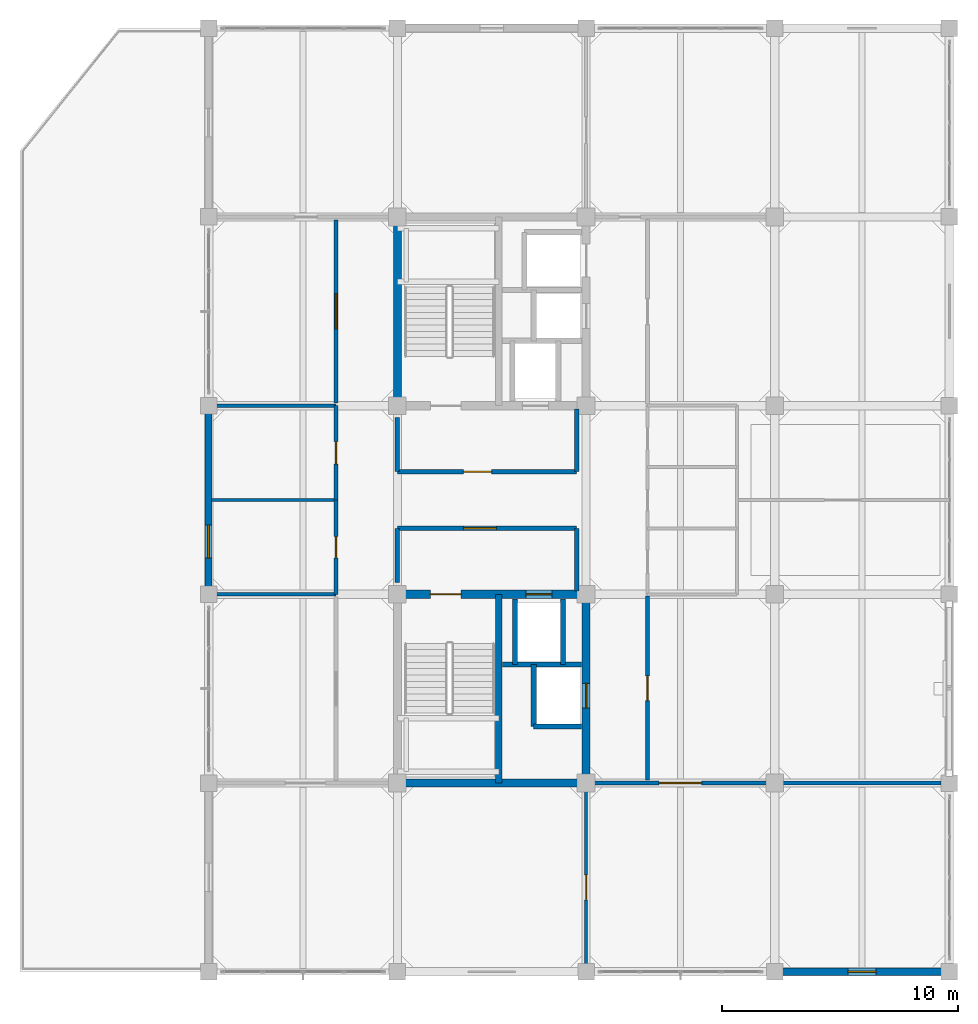
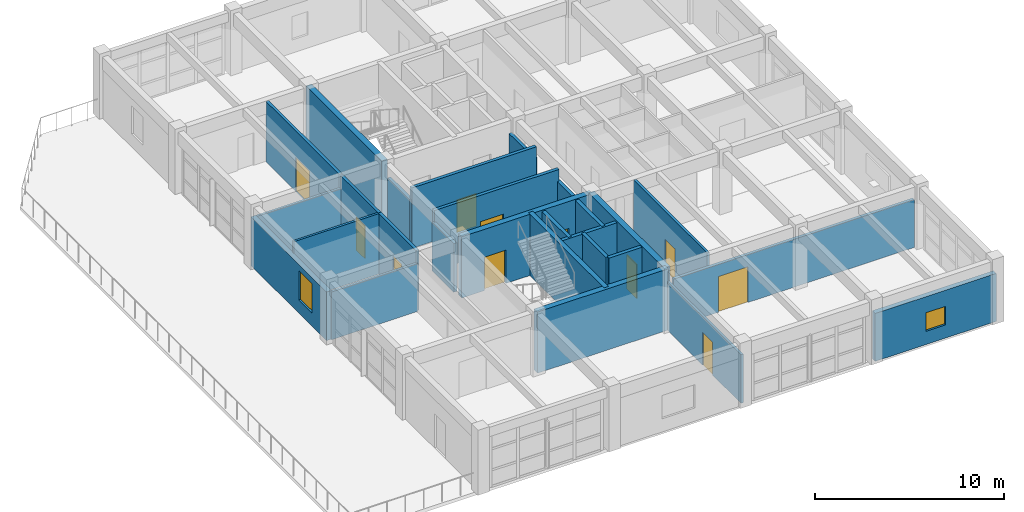
# One storey, part 19 of 25: 27 walls, 11 doors, 2 windows, 13 openings.
"""IFC4 building model written with IfcOpenShell, lengths in metres."""

from ifc_helpers import new_model, si_unit, direction, frame, frame_2d, origin, place, context, subcontext, project, spatial, rectangle, extrude, material, layer, layer_set, type_object, element, fill, save


model = new_model("IFC4")

# Units and contexts
model_context = context("Model", 3, precision=1e-05, world=origin(), true_north=direction((0.0, 1.0)))
body_context = subcontext(model_context, "Body", "Model", "MODEL_VIEW")
ifc_project = project(units=[si_unit("LENGTHUNIT", "METRE"), si_unit("AREAUNIT", "SQUARE_METRE"), si_unit("VOLUMEUNIT", "CUBIC_METRE"), si_unit("PLANEANGLEUNIT", "RADIAN"), si_unit("MASSUNIT", "GRAM", prefix="KILO")], contexts=[model_context])

# Site, building, storey
site_placement = place(None, origin())
site = spatial("IfcSite", under=ifc_project, at=site_placement, CompositionType="ELEMENT")
building_placement = place(site_placement, origin())
building = spatial("IfcBuilding", under=site, at=building_placement, Name="Canggui Botanical Conservatory", CompositionType="ELEMENT")
storey_placement = place(building_placement, frame((0.0, 0.0, 40.199951171875)))
storey = spatial("IfcBuildingStorey", under=building, at=storey_placement, Name="L10", CompositionType="ELEMENT", Elevation=40.199951171875)

# Wall, opening, window
ifc_material_1 = material(Name="Precast Concrete C40", Category="concrete")
ifc_layer_1 = layer(ifc_material_1, 0.300048828125, Name="Precast Concrete C40", Category="concrete")
ifc_layer_set_1 = layer_set([ifc_layer_1], Name="Precast Concrete C40")
wall_type_1 = type_object("IfcWallType", Name="EW-300", PredefinedType="STANDARD", material=ifc_layer_set_1)
wall_1_placement = place(storey_placement, frame((177.39990234375, 34.0, 0.0), z_axis=(0.0, 0.0, 1.0), x_axis=(-1.0, 0.0, 0.0)))
wall_1 = element("IfcWall", 1, at=wall_1_placement, inside=storey, type_object=wall_type_1, Name="Tower Insulated Exterior Wall L10-S1", PredefinedType="STANDARD", context=body_context, shape_type="SweptSolid", body=[
    extrude(rectangle(XDim=7.39990234375, YDim=0.300048828125, at=frame_2d((3.699951171875, 0.0))), origin(), (0.0, 0.0, 1.0), 3.090087890625),
])
opening_1_placement = place(wall_1_placement, frame((3.10009765625, 0.0, 0.85009765625)))
opening_1 = element("IfcOpeningElement", 2, at=opening_1_placement, cuts=wall_1, Name="Opening W-06", PredefinedType="OPENING", context=body_context, shape_type="SweptSolid", body=[
    extrude(rectangle(XDim=1.199951171875, YDim=1.199951171875, at=frame_2d((0.60009765625, 0.60009765625))), frame((0.0, 0.16015625, 0.0), z_axis=(0.0, -1.0, 0.0), x_axis=(1.0, 0.0, 0.0)), (0.0, 0.0, 1.0), 0.320068359375),
])
ifc_material_2 = material(Name="Low-E Insulated Glass", Category="glass")
window_type_1 = type_object("IfcWindowType", Name="WIN-06", PartitioningType="SINGLE_PANEL", PredefinedType="WINDOW", material=ifc_material_2)
window_1_placement = place(opening_1_placement, origin())
window_1 = element("IfcWindow", 3, at=window_1_placement, inside=storey, type_object=window_type_1, Name="Tower Firefighter Rescue Window L10-1", OverallHeight=1.199951171875, OverallWidth=1.199951171875, PartitioningType="SINGLE_PANEL", PredefinedType="WINDOW", context=body_context, shape_type="SweptSolid", body=[
    extrude(rectangle(XDim=1.199951171875, YDim=1.199951171875, at=frame_2d((0.60009765625, 0.60009765625))), frame((0.0, 0.030029296875, 0.0), z_axis=(0.0, -1.0, 0.0), x_axis=(1.0, 0.0, 0.0)), (0.0, 0.0, 1.0), 0.06005859375),
])
fill(opening_1, window_1)

wall_2_placement = place(storey_placement, frame((146.0, 50.0, 0.0), z_axis=(0.0, 0.0, 1.0), x_axis=(0.0, 1.0, 0.0)))
wall_2 = element("IfcWall", 4, at=wall_2_placement, inside=storey, type_object=wall_type_1, Name="Tower Insulated Exterior Wall L10-W7", PredefinedType="STANDARD", context=body_context, shape_type="SweptSolid", body=[
    extrude(rectangle(XDim=8.0, YDim=0.300048828125, at=frame_2d((4.0, 0.0))), origin(), (0.0, 0.0, 1.0), 3.14013671875),
])
opening_2_placement = place(wall_2_placement, frame((1.532958984375, 0.0, 0.85009765625)))
opening_2 = element("IfcOpeningElement", 5, at=opening_2_placement, cuts=wall_2, Name="Opening W-14", PredefinedType="OPENING", context=body_context, shape_type="SweptSolid", body=[
    extrude(rectangle(XDim=1.39990234375, YDim=1.89990234375, at=frame_2d((0.699951171875, 0.949951171875))), frame((0.0, 0.16015625, 0.0), z_axis=(0.0, -1.0, 0.0), x_axis=(1.0, 0.0, 0.0)), (0.0, 0.0, 1.0), 0.320068359375),
])
window_type_2 = type_object("IfcWindowType", Name="WIN-14", PartitioningType="SINGLE_PANEL", PredefinedType="WINDOW", material=ifc_material_2)
window_2_placement = place(opening_2_placement, origin())
window_2 = element("IfcWindow", 6, at=window_2_placement, inside=storey, type_object=window_type_2, Name="Tower Window L10-7", OverallHeight=1.89990234375, OverallWidth=1.39990234375, PartitioningType="SINGLE_PANEL", PredefinedType="WINDOW", context=body_context, shape_type="SweptSolid", body=[
    extrude(rectangle(XDim=1.39990234375, YDim=1.89990234375, at=frame_2d((0.699951171875, 0.949951171875))), frame((0.0, 0.030029296875, 0.0), z_axis=(0.0, -1.0, 0.0), x_axis=(1.0, 0.0, 0.0)), (0.0, 0.0, 1.0), 0.06005859375),
])
fill(opening_2, window_2)

# Wall, opening, door
ifc_material_3 = material(Name="Gypsum Plasterboard Partition")
ifc_layer_2 = layer(ifc_material_3, 0.175048828125, Name="Gypsum Plasterboard Partition")
ifc_layer_set_2 = layer_set([ifc_layer_2], Name="Gypsum Plasterboard Partition")
wall_type_2 = type_object("IfcWallType", Name="IW-CORR-175", PredefinedType="STANDARD", material=ifc_layer_set_2)
wall_3_placement = place(storey_placement, frame((151.39990234375, 58.1201171875, 0.0), z_axis=(0.0, 0.0, 1.0), x_axis=(0.0, 1.0, 0.0)))
wall_3 = element("IfcWall", 7, at=wall_3_placement, inside=storey, type_object=wall_type_2, Name="L10 Seed Conditioning Prep Room Corridor Wall", PredefinedType="STANDARD", context=body_context, shape_type="SweptSolid", body=[
    extrude(rectangle(XDim=7.759765625, YDim=0.175048828125, at=frame_2d((3.8798828125, 0.0))), origin(), (0.0, 0.0, 1.0), 3.900146484375),
])
opening_3_placement = place(wall_3_placement, frame((3.1298828125, 0.0, 0.0)))
opening_3 = element("IfcOpeningElement", 8, at=opening_3_placement, cuts=wall_3, Name="Opening FD-13", PredefinedType="OPENING", context=body_context, shape_type="SweptSolid", body=[
    extrude(rectangle(XDim=1.5, YDim=2.199951171875, at=frame_2d((0.75, 1.10009765625))), frame((0.0, 0.09765625, 0.0), z_axis=(0.0, -1.0, 0.0), x_axis=(1.0, 0.0, 0.0)), (0.0, 0.0, 1.0), 0.195068359375),
])
ifc_material_4 = material(Name="Powder-Coated Steel", Category="steel")
door_type_1 = type_object("IfcDoorType", Name="FD-13", OperationType="NOTDEFINED", PredefinedType="DOOR", material=ifc_material_4)
door_1_placement = place(opening_3_placement, origin())
door_1 = element("IfcDoor", 9, at=door_1_placement, inside=storey, type_object=door_type_1, Name="L10 Seed Conditioning Prep Room Entrance Door", OperationType="SINGLE_SWING_RIGHT", OverallHeight=2.199951171875, OverallWidth=1.5, PredefinedType="DOOR", context=body_context, shape_type="SweptSolid", body=[
    extrude(rectangle(XDim=1.5, YDim=2.199951171875, at=frame_2d((0.75, 1.10009765625))), frame((0.0, 0.02490234375, 0.0), z_axis=(0.0, -1.0, 0.0), x_axis=(1.0, 0.0, 0.0)), (0.0, 0.0, 1.0), 0.050048828125),
])
fill(opening_3, door_1)

wall_4_placement = place(storey_placement, frame((151.39990234375, 50.0, 0.0), z_axis=(0.0, 0.0, 1.0), x_axis=(0.0, 1.0, 0.0)))
wall_4 = element("IfcWall", 10, at=wall_4_placement, inside=storey, type_object=wall_type_2, Name="L10 Cleaners' Store Wall", PredefinedType="STANDARD", context=body_context, shape_type="SweptSolid", body=[
    extrude(rectangle(XDim=4.0, YDim=0.175048828125, at=frame_2d((2.0, 0.0))), origin(), (0.0, 0.0, 1.0), 3.900146484375),
])
opening_4_placement = place(wall_4_placement, frame((1.550048828125, 0.0, 0.0)))
opening_4 = element("IfcOpeningElement", 11, at=opening_4_placement, cuts=wall_4, Name="Opening FD-01", PredefinedType="OPENING", context=body_context, shape_type="SweptSolid", body=[
    extrude(rectangle(XDim=0.89990234375, YDim=2.10009765625, at=frame_2d((0.449951171875, 1.050048828125))), frame((0.0, 0.09765625, 0.0), z_axis=(0.0, -1.0, 0.0), x_axis=(1.0, 0.0, 0.0)), (0.0, 0.0, 1.0), 0.195068359375),
])
door_type_2 = type_object("IfcDoorType", Name="FD-01", OperationType="NOTDEFINED", PredefinedType="DOOR", material=ifc_material_4)
door_2_placement = place(opening_4_placement, origin())
door_2 = element("IfcDoor", 12, at=door_2_placement, inside=storey, type_object=door_type_2, Name="Interior Door IW-L10-STRW1", OperationType="SINGLE_SWING_LEFT", OverallHeight=2.10009765625, OverallWidth=0.89990234375, PredefinedType="DOOR", context=body_context, shape_type="SweptSolid", body=[
    extrude(rectangle(XDim=0.89990234375, YDim=2.10009765625, at=frame_2d((0.449951171875, 1.050048828125))), frame((0.0, 0.02490234375, 0.0), z_axis=(0.0, -1.0, 0.0), x_axis=(1.0, 0.0, 0.0)), (0.0, 0.0, 1.0), 0.050048828125),
])
fill(opening_4, door_2)

wall_5_placement = place(storey_placement, frame((151.39990234375, 54.0, 0.0), z_axis=(0.0, 0.0, 1.0), x_axis=(0.0, 1.0, 0.0)))
wall_5 = element("IfcWall", 13, at=wall_5_placement, inside=storey, type_object=wall_type_2, Name="L10 Consumables Store Wall", PredefinedType="STANDARD", context=body_context, shape_type="SweptSolid", body=[
    extrude(rectangle(XDim=4.0, YDim=0.175048828125, at=frame_2d((2.0, 0.0))), origin(), (0.0, 0.0, 1.0), 3.900146484375),
])
opening_5_placement = place(wall_5_placement, frame((1.52490234375, 0.0, 0.0)))
opening_5 = element("IfcOpeningElement", 14, at=opening_5_placement, cuts=wall_5, Name="Opening FD-02", PredefinedType="OPENING", context=body_context, shape_type="SweptSolid", body=[
    extrude(rectangle(XDim=0.949951171875, YDim=2.10009765625, at=frame_2d((0.47509765625, 1.050048828125))), frame((0.0, 0.09765625, 0.0), z_axis=(0.0, -1.0, 0.0), x_axis=(1.0, 0.0, 0.0)), (0.0, 0.0, 1.0), 0.195068359375),
])
door_type_3 = type_object("IfcDoorType", Name="FD-02", OperationType="NOTDEFINED", PredefinedType="DOOR", material=ifc_material_4)
door_3_placement = place(opening_5_placement, origin())
door_3 = element("IfcDoor", 15, at=door_3_placement, inside=storey, type_object=door_type_3, Name="Interior Door IW-L10-STRW2", OperationType="SINGLE_SWING_RIGHT", OverallHeight=2.10009765625, OverallWidth=0.949951171875, PredefinedType="DOOR", context=body_context, shape_type="SweptSolid", body=[
    extrude(rectangle(XDim=0.949951171875, YDim=2.10009765625, at=frame_2d((0.47509765625, 1.050048828125))), frame((0.0, 0.02490234375, 0.0), z_axis=(0.0, -1.0, 0.0), x_axis=(1.0, 0.0, 0.0)), (0.0, 0.0, 1.0), 0.050048828125),
])
fill(opening_5, door_3)

wall_6_placement = place(storey_placement, frame((162.35009765625, 42.0, 0.0), z_axis=(0.0, 0.0, 1.0), x_axis=(1.0, 0.0, 0.0)))
wall_6 = element("IfcWall", 16, at=wall_6_placement, inside=storey, type_object=wall_type_2, Name="L10 Seed Dormancy Germination Suite South Suite Wall", PredefinedType="STANDARD", context=body_context, shape_type="SweptSolid", body=[
    extrude(rectangle(XDim=14.699951171875, YDim=0.175048828125, at=frame_2d((7.35009765625, 0.0))), origin(), (0.0, 0.0, 1.0), 3.090087890625),
])
opening_6_placement = place(wall_6_placement, frame((2.75, 0.0, 0.0)))
opening_6 = element("IfcOpeningElement", 17, at=opening_6_placement, cuts=wall_6, Name="Opening FD-17", PredefinedType="OPENING", context=body_context, shape_type="SweptSolid", body=[
    extrude(rectangle(XDim=1.800048828125, YDim=2.300048828125, at=frame_2d((0.89990234375, 1.14990234375))), frame((0.0, 0.09765625, 0.0), z_axis=(0.0, -1.0, 0.0), x_axis=(1.0, 0.0, 0.0)), (0.0, 0.0, 1.0), 0.195068359375),
])
door_type_4 = type_object("IfcDoorType", Name="FD-17", OperationType="NOTDEFINED", PredefinedType="DOOR", material=ifc_material_4)
door_4_placement = place(opening_6_placement, origin())
door_4 = element("IfcDoor", 18, at=door_4_placement, inside=storey, type_object=door_type_4, Name="Interior Door IW-L10-SCOR-2", OperationType="DOUBLE_DOOR_SINGLE_SWING", OverallHeight=2.300048828125, OverallWidth=1.800048828125, PredefinedType="DOOR", context=body_context, shape_type="SweptSolid", body=[
    extrude(rectangle(XDim=1.800048828125, YDim=2.300048828125, at=frame_2d((0.89990234375, 1.14990234375))), frame((0.0, 0.02490234375, 0.0), z_axis=(0.0, -1.0, 0.0), x_axis=(1.0, 0.0, 0.0)), (0.0, 0.0, 1.0), 0.050048828125),
])
fill(opening_6, door_4)

ifc_layer_3 = layer(ifc_material_3, 0.155029296875, Name="Gypsum Plasterboard Partition")
ifc_layer_set_3 = layer_set([ifc_layer_3], Name="Gypsum Plasterboard Partition")
wall_type_3 = type_object("IfcWallType", Name="IW-LAB-155", PredefinedType="STANDARD", material=ifc_layer_set_3)
wall_7_placement = place(storey_placement, frame((164.60009765625, 42.1201171875, 0.0), z_axis=(0.0, 0.0, 1.0), x_axis=(0.0, 1.0, 0.0)))
wall_7 = element("IfcWall", 19, at=wall_7_placement, inside=storey, type_object=wall_type_3, Name="L10 Controlled Growth Chamber Room Lab Wall", PredefinedType="STANDARD", context=body_context, shape_type="SweptSolid", body=[
    extrude(rectangle(XDim=7.7998046875, YDim=0.155029296875, at=frame_2d((3.89990234375, 0.0))), origin(), (0.0, 0.0, 1.0), 3.900146484375),
])
opening_7_placement = place(wall_7_placement, frame((3.375, 0.0, 0.0)))
opening_7 = element("IfcOpeningElement", 20, at=opening_7_placement, cuts=wall_7, Name="Opening FD-04", PredefinedType="OPENING", context=body_context, shape_type="SweptSolid", body=[
    extrude(rectangle(XDim=1.050048828125, YDim=2.10009765625, at=frame_2d((0.52490234375, 1.050048828125))), frame((0.0, 0.08740234375, 0.0), z_axis=(0.0, -1.0, 0.0), x_axis=(1.0, 0.0, 0.0)), (0.0, 0.0, 1.0), 0.175048828125),
])
door_type_5 = type_object("IfcDoorType", Name="FD-04", OperationType="NOTDEFINED", PredefinedType="DOOR", material=ifc_material_4)
door_5_placement = place(opening_7_placement, origin())
door_5 = element("IfcDoor", 21, at=door_5_placement, inside=storey, type_object=door_type_5, Name="Interior Door IW-L10-ECOR-1-1", OperationType="SINGLE_SWING_LEFT", OverallHeight=2.10009765625, OverallWidth=1.050048828125, PredefinedType="DOOR", context=body_context, shape_type="SweptSolid", body=[
    extrude(rectangle(XDim=1.050048828125, YDim=2.10009765625, at=frame_2d((0.52490234375, 1.050048828125))), frame((0.0, 0.02490234375, 0.0), z_axis=(0.0, -1.0, 0.0), x_axis=(1.0, 0.0, 0.0)), (0.0, 0.0, 1.0), 0.050048828125),
])
fill(opening_7, door_5)

ifc_material_5 = material(Name="Concrete C35", Category="concrete")
ifc_layer_4 = layer(ifc_material_5, 0.195068359375, Name="Concrete C35", Category="concrete")
ifc_layer_set_4 = layer_set([ifc_layer_4], Name="Concrete C35")
wall_type_4 = type_object("IfcWallType", Name="IW-LOBBY-195", PredefinedType="STANDARD", material=ifc_layer_set_4)
wall_8_placement = place(storey_placement, frame((154.0, 52.800048828125, 0.0), z_axis=(0.0, 0.0, 1.0), x_axis=(1.0, 0.0, 0.0)))
wall_8 = element("IfcWall", 22, at=wall_8_placement, inside=storey, type_object=wall_type_4, Name="L10 South Firefighting Lift Lobby North Wall", PredefinedType="STANDARD", context=body_context, shape_type="SweptSolid", body=[
    extrude(rectangle(XDim=7.60009765625, YDim=0.195068359375, at=frame_2d((3.800048828125, 0.0))), origin(), (0.0, 0.0, 1.0), 3.900146484375),
])
opening_8_placement = place(wall_8_placement, frame((2.800048828125, 0.0, 0.0)))
opening_8 = element("IfcOpeningElement", 23, at=opening_8_placement, cuts=wall_8, Name="Opening FD-11", PredefinedType="OPENING", context=body_context, shape_type="SweptSolid", body=[
    extrude(rectangle(XDim=1.39990234375, YDim=2.199951171875, at=frame_2d((0.699951171875, 1.10009765625))), frame((0.0, 0.107421875, 0.0), z_axis=(0.0, -1.0, 0.0), x_axis=(1.0, 0.0, 0.0)), (0.0, 0.0, 1.0), 0.215087890625),
])
door_type_6 = type_object("IfcDoorType", Name="FD-11", OperationType="NOTDEFINED", PredefinedType="DOOR", material=ifc_material_4)
door_6_placement = place(opening_8_placement, origin())
door_6 = element("IfcDoor", 24, at=door_6_placement, inside=storey, type_object=door_type_6, Name="L10 South Firefighting Lobby Fire Door", OperationType="SINGLE_SWING_RIGHT", OverallHeight=2.199951171875, OverallWidth=1.39990234375, PredefinedType="DOOR", context=body_context, shape_type="SweptSolid", body=[
    extrude(rectangle(XDim=1.39990234375, YDim=2.199951171875, at=frame_2d((0.699951171875, 1.10009765625))), frame((0.0, 0.02490234375, 0.0), z_axis=(0.0, -1.0, 0.0), x_axis=(1.0, 0.0, 0.0)), (0.0, 0.0, 1.0), 0.050048828125),
])
fill(opening_8, door_6)

# Walls
wall_9_placement = place(storey_placement, frame((161.60009765625, 50.14990234375, 0.0), z_axis=(0.0, 0.0, 1.0), x_axis=(0.0, 1.0, 0.0)))
element("IfcWall", 25, at=wall_9_placement, inside=storey, type_object=wall_type_4, Name="L10 South Firefighting Lift Lobby East Wall", PredefinedType="STANDARD", context=body_context, shape_type="SweptSolid", body=[
    extrude(rectangle(XDim=2.650146484375, YDim=0.195068359375, at=frame_2d((1.3251953125, 0.0))), origin(), (0.0, 0.0, 1.0), 3.14013671875),
])
wall_10_placement = place(storey_placement, frame((154.0, 50.5, 0.0), z_axis=(0.0, 0.0, 1.0), x_axis=(0.0, 1.0, 0.0)))
element("IfcWall", 26, at=wall_10_placement, inside=storey, type_object=wall_type_4, Name="L10 South Firefighting Lift Lobby West Wall", PredefinedType="STANDARD", context=body_context, shape_type="SweptSolid", body=[
    extrude(rectangle(XDim=2.300048828125, YDim=0.195068359375, at=frame_2d((1.14990234375, 0.0))), origin(), (0.0, 0.0, 1.0), 3.14013671875),
])

# Wall, opening, door
wall_11_placement = place(storey_placement, frame((154.0, 55.199951171875, 0.0), z_axis=(0.0, 0.0, 1.0), x_axis=(1.0, 0.0, 0.0)))
wall_11 = element("IfcWall", 27, at=wall_11_placement, inside=storey, type_object=wall_type_4, Name="L10 North Firefighting Lift Lobby South Wall", PredefinedType="STANDARD", context=body_context, shape_type="SweptSolid", body=[
    extrude(rectangle(XDim=7.60009765625, YDim=0.195068359375, at=frame_2d((3.800048828125, 0.0))), origin(), (0.0, 0.0, 1.0), 3.900146484375),
])
opening_9_placement = place(wall_11_placement, frame((2.800048828125, 0.0, 0.0)))
opening_9 = element("IfcOpeningElement", 28, at=opening_9_placement, cuts=wall_11, Name="Opening FD-07", PredefinedType="OPENING", context=body_context, shape_type="SweptSolid", body=[
    extrude(rectangle(XDim=1.199951171875, YDim=2.10009765625, at=frame_2d((0.60009765625, 1.050048828125))), frame((0.0, 0.107421875, 0.0), z_axis=(0.0, -1.0, 0.0), x_axis=(1.0, 0.0, 0.0)), (0.0, 0.0, 1.0), 0.215087890625),
])
door_type_7 = type_object("IfcDoorType", Name="FD-07", OperationType="NOTDEFINED", PredefinedType="DOOR", material=ifc_material_4)
door_7_placement = place(opening_9_placement, origin())
door_7 = element("IfcDoor", 29, at=door_7_placement, inside=storey, type_object=door_type_7, Name="L10 North Firefighting Lobby Fire Door", OperationType="SINGLE_SWING_LEFT", OverallHeight=2.10009765625, OverallWidth=1.199951171875, PredefinedType="DOOR", context=body_context, shape_type="SweptSolid", body=[
    extrude(rectangle(XDim=1.199951171875, YDim=2.10009765625, at=frame_2d((0.60009765625, 1.050048828125))), frame((0.0, 0.02490234375, 0.0), z_axis=(0.0, -1.0, 0.0), x_axis=(1.0, 0.0, 0.0)), (0.0, 0.0, 1.0), 0.050048828125),
])
fill(opening_9, door_7)

# Walls
wall_12_placement = place(storey_placement, frame((161.60009765625, 55.199951171875, 0.0), z_axis=(0.0, 0.0, 1.0), x_axis=(0.0, 1.0, 0.0)))
element("IfcWall", 30, at=wall_12_placement, inside=storey, type_object=wall_type_4, Name="L10 North Firefighting Lift Lobby East Wall", PredefinedType="STANDARD", context=body_context, shape_type="SweptSolid", body=[
    extrude(rectangle(XDim=2.650146484375, YDim=0.195068359375, at=frame_2d((1.3251953125, 0.0))), origin(), (0.0, 0.0, 1.0), 3.14013671875),
])
wall_13_placement = place(storey_placement, frame((154.0, 55.199951171875, 0.0), z_axis=(0.0, 0.0, 1.0), x_axis=(0.0, 1.0, 0.0)))
element("IfcWall", 31, at=wall_13_placement, inside=storey, type_object=wall_type_4, Name="L10 North Firefighting Lift Lobby West Wall", PredefinedType="STANDARD", context=body_context, shape_type="SweptSolid", body=[
    extrude(rectangle(XDim=2.300048828125, YDim=0.195068359375, at=frame_2d((1.14990234375, 0.0))), origin(), (0.0, 0.0, 1.0), 3.14013671875),
])
ifc_layer_5 = layer(ifc_material_3, 0.139892578125, Name="Gypsum Plasterboard Partition")
ifc_layer_set_5 = layer_set([ifc_layer_5], Name="Gypsum Plasterboard Partition")
wall_type_5 = type_object("IfcWallType", Name="IW-PART-140", PredefinedType="STANDARD", material=ifc_layer_set_5)
wall_14_placement = place(storey_placement, frame((146.1201171875, 50.0, 0.0), z_axis=(0.0, 0.0, 1.0), x_axis=(1.0, 0.0, 0.0)))
element("IfcWall", 32, at=wall_14_placement, inside=storey, type_object=wall_type_5, Name="L10 Store South Cross Wall", PredefinedType="STANDARD", context=body_context, shape_type="SweptSolid", body=[
    extrude(rectangle(XDim=5.27978515625, YDim=0.139892578125, at=frame_2d((2.639892578125, 0.0))), origin(), (0.0, 0.0, 1.0), 3.090087890625),
])
wall_15_placement = place(storey_placement, frame((146.1201171875, 54.0, 0.0), z_axis=(0.0, 0.0, 1.0), x_axis=(1.0, 0.0, 0.0)))
element("IfcWall", 33, at=wall_15_placement, inside=storey, type_object=wall_type_5, Name="L10 Store Cross Wall", PredefinedType="STANDARD", context=body_context, shape_type="SweptSolid", body=[
    extrude(rectangle(XDim=5.27978515625, YDim=0.139892578125, at=frame_2d((2.639892578125, 0.0))), origin(), (0.0, 0.0, 1.0), 3.900146484375),
])
wall_16_placement = place(storey_placement, frame((146.1201171875, 58.0, 0.0), z_axis=(0.0, 0.0, 1.0), x_axis=(1.0, 0.0, 0.0)))
element("IfcWall", 34, at=wall_16_placement, inside=storey, type_object=wall_type_5, Name="L10 Store North Cross Wall", PredefinedType="STANDARD", context=body_context, shape_type="SweptSolid", body=[
    extrude(rectangle(XDim=5.27978515625, YDim=0.139892578125, at=frame_2d((2.639892578125, 0.0))), origin(), (0.0, 0.0, 1.0), 3.090087890625),
])

# Wall, opening, door
wall_17_placement = place(storey_placement, frame((162.0, 34.050048828125, 0.0), z_axis=(0.0, 0.0, 1.0), x_axis=(0.0, 1.0, 0.0)))
wall_17 = element("IfcWall", 35, at=wall_17_placement, inside=storey, type_object=wall_type_5, Name="L10 Seed Physiology Research Laboratory South Cross Wall", PredefinedType="STANDARD", context=body_context, shape_type="SweptSolid", body=[
    extrude(rectangle(XDim=7.829833984375, YDim=0.139892578125, at=frame_2d((3.9150390625, 0.0))), origin(), (0.0, 0.0, 1.0), 3.14013671875),
])
opening_10_placement = place(wall_17_placement, frame((3.0, 0.0, 0.0)))
opening_10 = element("IfcOpeningElement", 36, at=opening_10_placement, cuts=wall_17, Name="Opening ID-05", PredefinedType="OPENING", context=body_context, shape_type="SweptSolid", body=[
    extrude(rectangle(XDim=1.06005859375, YDim=2.1201171875, at=frame_2d((0.530029296875, 1.06005859375))), frame((0.0, 0.080078125, 0.0), z_axis=(0.0, -1.0, 0.0), x_axis=(1.0, 0.0, 0.0)), (0.0, 0.0, 1.0), 0.159912109375),
])
ifc_material_6 = material(Name="Engineered Timber Veneer", Category="wood")
door_type_8 = type_object("IfcDoorType", Name="ID-05", OperationType="NOTDEFINED", PredefinedType="DOOR", material=ifc_material_6)
door_8_placement = place(opening_10_placement, origin())
door_8 = element("IfcDoor", 37, at=door_8_placement, inside=storey, type_object=door_type_8, Name="Interior Door IW-L10-SDIV-1", OperationType="SINGLE_SWING_RIGHT", OverallHeight=2.1201171875, OverallWidth=1.06005859375, PredefinedType="DOOR", context=body_context, shape_type="SweptSolid", body=[
    extrude(rectangle(XDim=1.06005859375, YDim=2.1201171875, at=frame_2d((0.530029296875, 1.06005859375))), frame((0.0, 0.02490234375, 0.0), z_axis=(0.0, -1.0, 0.0), x_axis=(1.0, 0.0, 0.0)), (0.0, 0.0, 1.0), 0.050048828125),
])
fill(opening_10, door_8)

# Walls
ifc_layer_6 = layer(ifc_material_5, 0.215087890625, Name="Concrete C35", Category="concrete")
ifc_layer_set_6 = layer_set([ifc_layer_6], Name="Concrete C35")
wall_type_6 = type_object("IfcWallType", Name="IW-SHAFT-215", PredefinedType="STANDARD", material=ifc_layer_set_6)
wall_18_placement = place(storey_placement, frame((158.449951171875, 47.02001953125, 0.0), z_axis=(0.0, 0.0, 1.0), x_axis=(1.0, 0.0, 0.0)))
element("IfcWall", 38, at=wall_18_placement, inside=storey, type_object=wall_type_6, Name="Core T1 Lift Shaft Divider L10", PredefinedType="STANDARD", context=body_context, shape_type="SweptSolid", body=[
    extrude(rectangle(XDim=3.35009765625, YDim=0.215087890625, at=frame_2d((1.675048828125, 0.0))), origin(), (0.0, 0.0, 1.0), 3.900146484375),
])
for number, where, z_axis, x_axis, name in (
    (39, (158.97998046875, 47.02001953125, 0.0), (0.0, 0.0, 1.0), (0.0, 1.0, 0.0), "Core T1 FL-01 West Shaft Wall L10"),
    (40, (161.02001953125, 47.02001953125, 0.0), (0.0, 0.0, 1.0), (0.0, 1.0, 0.0), "Core T1 FL-01 East Shaft Wall L10"),
):
    element("IfcWall", number, at=place(storey_placement, frame(where, z_axis=z_axis, x_axis=x_axis)), inside=storey, type_object=wall_type_6, Name=name, PredefinedType="STANDARD", context=body_context, shape_type="SweptSolid", body=[
        extrude(rectangle(XDim=2.780029296875, YDim=0.215087890625, at=frame_2d((1.39013671875, 0.0))), origin(), (0.0, 0.0, 1.0), 3.900146484375),
    ])
wall_19_placement = place(storey_placement, frame((159.780029296875, 44.39990234375, 0.0), z_axis=(0.0, 0.0, 1.0), x_axis=(0.0, 1.0, 0.0)))
element("IfcWall", 41, at=wall_19_placement, inside=storey, type_object=wall_type_6, Name="Core T1 PL-01 West Shaft Wall L10", PredefinedType="STANDARD", context=body_context, shape_type="SweptSolid", body=[
    extrude(rectangle(XDim=2.6201171875, YDim=0.215087890625, at=frame_2d((1.31005859375, 0.0))), origin(), (0.0, 0.0, 1.0), 3.900146484375),
])
wall_20_placement = place(storey_placement, frame((159.780029296875, 44.39990234375, 0.0), z_axis=(0.0, 0.0, 1.0), x_axis=(1.0, 0.0, 0.0)))
element("IfcWall", 42, at=wall_20_placement, inside=storey, type_object=wall_type_6, Name="Core T1 PL-01 South Shaft Wall L10", PredefinedType="STANDARD", context=body_context, shape_type="SweptSolid", body=[
    extrude(rectangle(XDim=2.02001953125, YDim=0.215087890625, at=frame_2d((1.010009765625, 0.0))), origin(), (0.0, 0.0, 1.0), 3.900146484375),
])
ifc_layer_7 = layer(ifc_material_5, 0.280029296875, Name="Concrete C35", Category="concrete")
ifc_layer_set_7 = layer_set([ifc_layer_7], Name="Concrete C35")
wall_type_7 = type_object("IfcWallType", Name="WALL-SH-280-C35", PredefinedType="SHEAR", material=ifc_layer_set_7)
wall_21_placement = place(storey_placement, frame((158.300048828125, 42.0, 0.0), z_axis=(0.0, 0.0, 1.0), x_axis=(0.0, 1.0, 0.0)))
element("IfcWall", 43, at=wall_21_placement, inside=storey, type_object=wall_type_7, Name="Core T1 Internal Shear Web L10", PredefinedType="SHEAR", context=body_context, shape_type="SweptSolid", body=[
    extrude(rectangle(XDim=8.0, YDim=0.280029296875, at=frame_2d((4.0, 0.0))), origin(), (0.0, 0.0, 1.0), 3.949951171875),
])
ifc_material_7 = material(Name="Concrete C40", Category="concrete")
ifc_layer_8 = layer(ifc_material_7, 0.35009765625, Name="Concrete C40", Category="concrete")
ifc_layer_set_8 = layer_set([ifc_layer_8], Name="Concrete C40")
wall_type_8 = type_object("IfcWallType", Name="WALL-SH-350-C40", PredefinedType="SHEAR", material=ifc_layer_set_8)
wall_22_placement = place(storey_placement, frame((154.0, 42.0, 0.0), z_axis=(0.0, 0.0, 1.0), x_axis=(1.0, 0.0, 0.0)))
element("IfcWall", 44, at=wall_22_placement, inside=storey, type_object=wall_type_8, Name="Core T1 Shear Wall L10-S", PredefinedType="SHEAR", context=body_context, shape_type="SweptSolid", body=[
    extrude(rectangle(XDim=8.0, YDim=0.35009765625, at=frame_2d((4.0, 0.0))), origin(), (0.0, 0.0, 1.0), 3.949951171875),
])

# Wall, opening, door
wall_23_placement = place(storey_placement, frame((162.0, 42.0, 0.0), z_axis=(0.0, 0.0, 1.0), x_axis=(0.0, 1.0, 0.0)))
wall_23 = element("IfcWall", 45, at=wall_23_placement, inside=storey, type_object=wall_type_8, Name="Core T1 Shear Wall L10-E", PredefinedType="SHEAR", context=body_context, shape_type="SweptSolid", body=[
    extrude(rectangle(XDim=8.0, YDim=0.35009765625, at=frame_2d((4.0, 0.0))), origin(), (0.0, 0.0, 1.0), 3.949951171875),
])
opening_11_placement = place(wall_23_placement, frame((3.175048828125, 0.0, 0.0)))
opening_11 = element("IfcOpeningElement", 46, at=opening_11_placement, cuts=wall_23, Name="Opening LD-02", PredefinedType="OPENING", context=body_context, shape_type="SweptSolid", body=[
    extrude(rectangle(XDim=1.050048828125, YDim=2.199951171875, at=frame_2d((0.52490234375, 1.10009765625))), frame((0.0, 0.18505859375, 0.0), z_axis=(0.0, -1.0, 0.0), x_axis=(1.0, 0.0, 0.0)), (0.0, 0.0, 1.0), 0.3701171875),
])
ifc_material_8 = material(Name="Stainless Steel 304", Category="steel")
door_type_9 = type_object("IfcDoorType", Name="LDR-02", OperationType="NOTDEFINED", PredefinedType="DOOR", material=ifc_material_8)
door_9_placement = place(opening_11_placement, origin())
door_9 = element("IfcDoor", 47, at=door_9_placement, inside=storey, type_object=door_type_9, Name="Passenger Lift PL-01 Landing Door L10", OperationType="SLIDING_TO_LEFT", OverallHeight=2.199951171875, OverallWidth=1.050048828125, PredefinedType="DOOR", context=body_context, shape_type="SweptSolid", body=[
    extrude(rectangle(XDim=1.050048828125, YDim=2.199951171875, at=frame_2d((0.52490234375, 1.10009765625))), frame((0.0, 0.02490234375, 0.0), z_axis=(0.0, -1.0, 0.0), x_axis=(1.0, 0.0, 0.0)), (0.0, 0.0, 1.0), 0.050048828125),
])
fill(opening_11, door_9)

# Wall, openings, doors
wall_24_placement = place(storey_placement, frame((162.0, 50.0, 0.0), z_axis=(0.0, 0.0, 1.0), x_axis=(-1.0, 0.0, 0.0)))
wall_24 = element("IfcWall", 48, at=wall_24_placement, inside=storey, type_object=wall_type_8, Name="Core T1 Shear Wall L10-N", PredefinedType="SHEAR", context=body_context, shape_type="SweptSolid", body=[
    extrude(rectangle(XDim=8.0, YDim=0.35009765625, at=frame_2d((4.0, 0.0))), origin(), (0.0, 0.0, 1.0), 3.949951171875),
])
opening_12_placement = place(wall_24_placement, frame((5.300048828125, 0.0, 0.0)))
opening_12 = element("IfcOpeningElement", 49, at=opening_12_placement, cuts=wall_24, Name="Opening FD-09", PredefinedType="OPENING", context=body_context, shape_type="SweptSolid", body=[
    extrude(rectangle(XDim=1.300048828125, YDim=2.14990234375, at=frame_2d((0.64990234375, 1.074951171875))), frame((0.0, 0.18505859375, 0.0), z_axis=(0.0, -1.0, 0.0), x_axis=(1.0, 0.0, 0.0)), (0.0, 0.0, 1.0), 0.3701171875),
])
opening_13_placement = place(wall_24_placement, frame((1.449951171875, 0.0, 0.0)))
opening_13 = element("IfcOpeningElement", 50, at=opening_13_placement, cuts=wall_24, Name="Opening LD-01", PredefinedType="OPENING", context=body_context, shape_type="SweptSolid", body=[
    extrude(rectangle(XDim=1.10009765625, YDim=2.199951171875, at=frame_2d((0.550048828125, 1.10009765625))), frame((0.0, 0.18505859375, 0.0), z_axis=(0.0, -1.0, 0.0), x_axis=(1.0, 0.0, 0.0)), (0.0, 0.0, 1.0), 0.3701171875),
])
door_type_10 = type_object("IfcDoorType", Name="FD-09", OperationType="NOTDEFINED", PredefinedType="DOOR", material=ifc_material_4)
door_10_placement = place(opening_12_placement, origin())
door_10 = element("IfcDoor", 51, at=door_10_placement, inside=storey, type_object=door_type_10, Name="Tower South Smoke-Proof Stair Door L10", OperationType="SINGLE_SWING_LEFT", OverallHeight=2.14990234375, OverallWidth=1.300048828125, PredefinedType="DOOR", context=body_context, shape_type="SweptSolid", body=[
    extrude(rectangle(XDim=1.300048828125, YDim=2.14990234375, at=frame_2d((0.64990234375, 1.074951171875))), frame((0.0, 0.02490234375, 0.0), z_axis=(0.0, -1.0, 0.0), x_axis=(1.0, 0.0, 0.0)), (0.0, 0.0, 1.0), 0.050048828125),
])
fill(opening_12, door_10)
door_type_11 = type_object("IfcDoorType", Name="LDR-01", OperationType="NOTDEFINED", PredefinedType="DOOR", material=ifc_material_8)
door_11_placement = place(opening_13_placement, origin())
door_11 = element("IfcDoor", 52, at=door_11_placement, inside=storey, type_object=door_type_11, Name="Firefighting Lift FL-01 Landing Door L10", OperationType="SLIDING_TO_LEFT", OverallHeight=2.199951171875, OverallWidth=1.10009765625, PredefinedType="DOOR", context=body_context, shape_type="SweptSolid", body=[
    extrude(rectangle(XDim=1.10009765625, YDim=2.199951171875, at=frame_2d((0.550048828125, 1.10009765625))), frame((0.0, 0.02490234375, 0.0), z_axis=(0.0, -1.0, 0.0), x_axis=(1.0, 0.0, 0.0)), (0.0, 0.0, 1.0), 0.050048828125),
])
fill(opening_13, door_11)

# Wall
wall_25_placement = place(storey_placement, frame((154.0, 66.0, 0.0), z_axis=(0.0, 0.0, 1.0), x_axis=(0.0, -1.0, 0.0)))
element("IfcWall", 53, at=wall_25_placement, inside=storey, type_object=wall_type_8, Name="Core T2 Shear Wall L10-W", PredefinedType="SHEAR", context=body_context, shape_type="SweptSolid", body=[
    extrude(rectangle(XDim=8.0, YDim=0.35009765625, at=frame_2d((4.0, 0.0))), origin(), (0.0, 0.0, 1.0), 3.949951171875),
])

save(model, "model.ifc")
